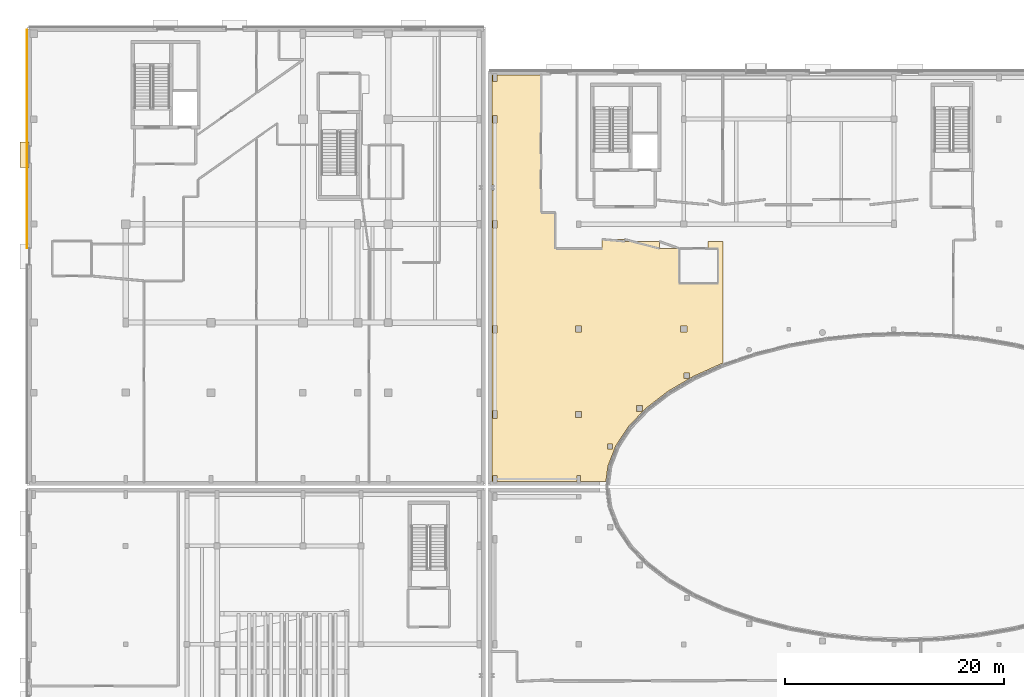
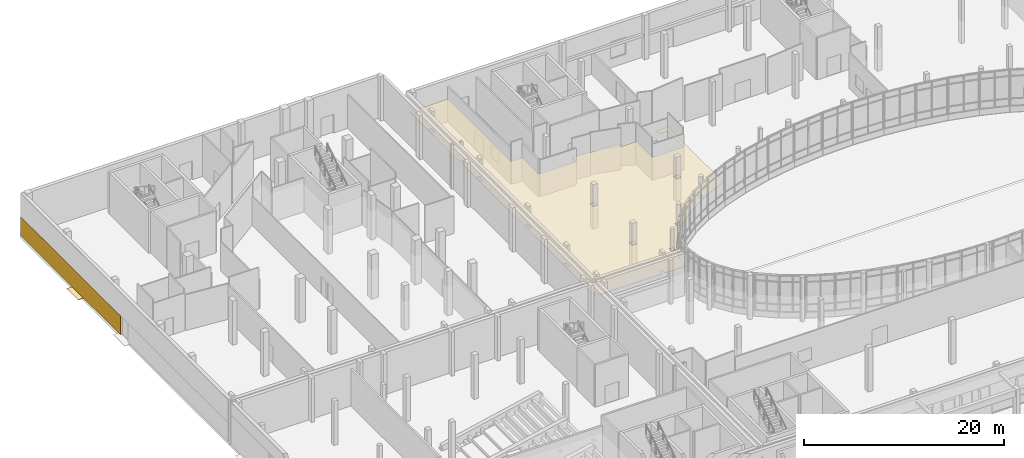
# One storey, part 69 of 84: 3 coverings.
"""IFC4 building model written with IfcOpenShell, lengths in metres."""

from ifc_helpers import new_model, si_unit, direction, frame, origin, origin_2d, place, context, subcontext, project, spatial, polyline, rectangle, outline, extrude, material, layer, layer_set, type_object, element, save


model = new_model("IFC4")

# Units and contexts
model_context = context("Model", 3, precision=1e-05, world=origin(), true_north=direction((0.0, 1.0)))
body_context = subcontext(model_context, "Body", "Model", "MODEL_VIEW")
ifc_project = project(units=[si_unit("LENGTHUNIT", "METRE"), si_unit("AREAUNIT", "SQUARE_METRE"), si_unit("VOLUMEUNIT", "CUBIC_METRE"), si_unit("PLANEANGLEUNIT", "RADIAN"), si_unit("MASSUNIT", "GRAM", prefix="KILO")], contexts=[model_context])

# Site, building, storey
site_placement = place(None, origin())
site = spatial("IfcSite", under=ifc_project, at=site_placement, CompositionType="ELEMENT")
building_placement = place(site_placement, origin())
building = spatial("IfcBuilding", under=site, at=building_placement, Name="Mzevani Central Library", CompositionType="ELEMENT")
storey_placement = place(building_placement, origin())
storey = spatial("IfcBuildingStorey", under=building, at=storey_placement, Name="L00", CompositionType="ELEMENT", Elevation=0.0)

# Coverings
ifc_material_1 = material(Name="Limestone ashlar cladding", Category="masonry")
ifc_layer_1 = layer(ifc_material_1, 0.050048828125, Name="Limestone Ashlar Spandrel Cladding")
ifc_layer_set_1 = layer_set([ifc_layer_1], Name="Limestone ashlar cladding")
covering_type_1 = type_object("IfcCoveringType", Name="Limestone Ashlar Spandrel Cladding", PredefinedType="CLADDING", material=ifc_layer_set_1)
covering_1_placement = place(storey_placement, frame((3.97607421875, 107.804931640625, 0.0), z_axis=(0.0, 0.0, 1.0), x_axis=(0.0, 1.0, 0.0)))
element("IfcCovering", 1, at=covering_1_placement, inside=storey, type_object=covering_type_1, Name="L00 Warm-White Facade Pier 2 (EW4-V2-L00-0017)", PredefinedType="CLADDING", context=body_context, shape_type="SweptSolid", body=[
    extrude(rectangle(XDim=19.969970703125, YDim=0.050048828125, at=origin_2d()), origin(), (0.0, 0.0, 1.0), 2.300048828125),
])
ifc_material_2 = material(Name="Mineral wool acoustic ceiling")
ifc_layer_2 = layer(ifc_material_2, 0.0400390625, Name="Perforated Timber Acoustic Ceiling")
ifc_layer_set_2 = layer_set([ifc_layer_2], Name="Mineral wool acoustic ceiling")
covering_type_2 = type_object("IfcCoveringType", Name="Perforated Timber Acoustic Ceiling", PredefinedType="CEILING", material=ifc_layer_set_2)
covering_2_placement = place(storey_placement, frame((0.0, 0.0, 2.72998046875)))
element("IfcCovering", 2, at=covering_2_placement, inside=storey, type_object=covering_type_2, Name="L00 Elliptical Court Reading Gallery Acoustic Ceiling", PredefinedType="CEILING", context=body_context, shape_type="SweptSolid", body=[
    extrude(outline(polyline([(56.542236328125, 98.606201171875), (58.60107421875, 98.610107421875), (58.610107421875, 98.429931640625), (61.77587890625, 98.429931640625), (61.784912109375, 97.784912109375), (63.562255859375, 97.78369140625), (63.5673828125, 94.5849609375), (67.1474609375, 94.5849609375), (67.1474609375, 97.764892578125), (66.219482421875, 97.7666015625), (66.215087890625, 98.4208984375), (67.572021484375, 98.427001953125), (67.57421875, 87.314697265625), (64.897705078125, 86.10400390625), (62.55126953125, 84.727783203125), (60.522705078125, 83.161376953125), (60.2509765625, 82.877197265625), (60.2509765625, 83.424072265625), (59.700927734375, 83.424072265625), (59.700927734375, 82.8740234375), (60.248046875, 82.8740234375), (58.95068359375, 81.516357421875), (57.7841796875, 79.744140625), (57.070556640625, 77.893310546875), (56.882568359375, 76.47119140625), (54.574951171875, 76.469970703125), (54.574951171875, 77.050048828125), (54.22509765625, 77.050048828125), (54.22509765625, 76.469970703125), (46.925048828125, 76.469970703125), (46.925048828125, 77.050048828125), (46.574951171875, 77.050048828125), (46.574951171875, 76.469970703125), (46.476318359375, 76.470703125), (46.469970703125, 103.10009765625), (46.800048828125, 103.10009765625), (46.800048828125, 103.60009765625), (46.469970703125, 103.60009765625), (46.474365234375, 113.62841796875), (46.574951171875, 113.6298828125), (46.574951171875, 113.050048828125), (46.925048828125, 113.050048828125), (46.925048828125, 113.6298828125), (50.964111328125, 113.623779296875), (50.965087890625, 101.06005859375), (52.25927734375, 101.0537109375), (52.260009765625, 97.760009765625), (56.5400390625, 97.760009765625), (56.542236328125, 98.606201171875)]), holes=[polyline([(46.925048828125, 82.949951171875), (46.574951171875, 82.949951171875), (46.574951171875, 82.25), (46.925048828125, 82.25), (46.925048828125, 82.949951171875)]), polyline([(46.925048828125, 90.050048828125), (46.925048828125, 90.75), (46.574951171875, 90.75), (46.574951171875, 90.050048828125), (46.925048828125, 90.050048828125)]), polyline([(46.574951171875, 99.64990234375), (46.925048828125, 99.64990234375), (46.925048828125, 100.35009765625), (46.574951171875, 100.35009765625), (46.574951171875, 99.64990234375)]), polyline([(46.574951171875, 109.949951171875), (46.574951171875, 109.25), (46.925048828125, 109.25), (46.925048828125, 109.949951171875), (46.574951171875, 109.949951171875)]), polyline([(54.125, 82.324951171875), (54.675048828125, 82.324951171875), (54.675048828125, 82.875), (54.125, 82.875), (54.125, 82.324951171875)]), polyline([(54.125, 90.675048828125), (54.125, 90.125), (54.675048828125, 90.125), (54.675048828125, 90.675048828125), (54.125, 90.675048828125)]), polyline([(64.27490234375, 90.675048828125), (63.72509765625, 90.675048828125), (63.72509765625, 90.125), (64.27490234375, 90.125), (64.27490234375, 90.675048828125)]), polyline([(64.5439453125, 85.906005859375), (64.5439453125, 86.406005859375), (64.0439453125, 86.406005859375), (64.0439453125, 85.906005859375), (64.5439453125, 85.906005859375)]), polyline([(57.0458984375, 79.916015625), (57.0458984375, 79.466064453125), (57.49609375, 79.466064453125), (57.49609375, 79.916015625), (57.0458984375, 79.916015625)])]), origin(), (0.0, 0.0, 1.0), 0.0400390625),
])
ifc_material_3 = material(Name="Terrazzo stone flooring", Category="masonry")
ifc_layer_3 = layer(ifc_material_3, 0.030029296875, Name="Terrazzo Stone Floor Finish")
ifc_layer_set_3 = layer_set([ifc_layer_3], Name="Terrazzo stone flooring")
covering_type_3 = type_object("IfcCoveringType", Name="Terrazzo Stone Floor Finish", PredefinedType="FLOORING", material=ifc_layer_set_3)
covering_3_placement = place(storey_placement, frame((3.739990234375, 106.35009765625, -0.0400390625), z_axis=(0.0, 0.0, 1.0), x_axis=(0.0, 1.0, 0.0)))
element("IfcCovering", 3, at=covering_3_placement, inside=storey, type_object=covering_type_3, Name="L00 ST-04 Final Exit Discharge Apron", PredefinedType="FLOORING", context=body_context, shape_type="SweptSolid", body=[
    extrude(rectangle(XDim=2.300048828125, YDim=0.800048828125, at=origin_2d()), origin(), (0.0, 0.0, 1.0), 0.0400390625),
])

save(model, "model.ifc")
